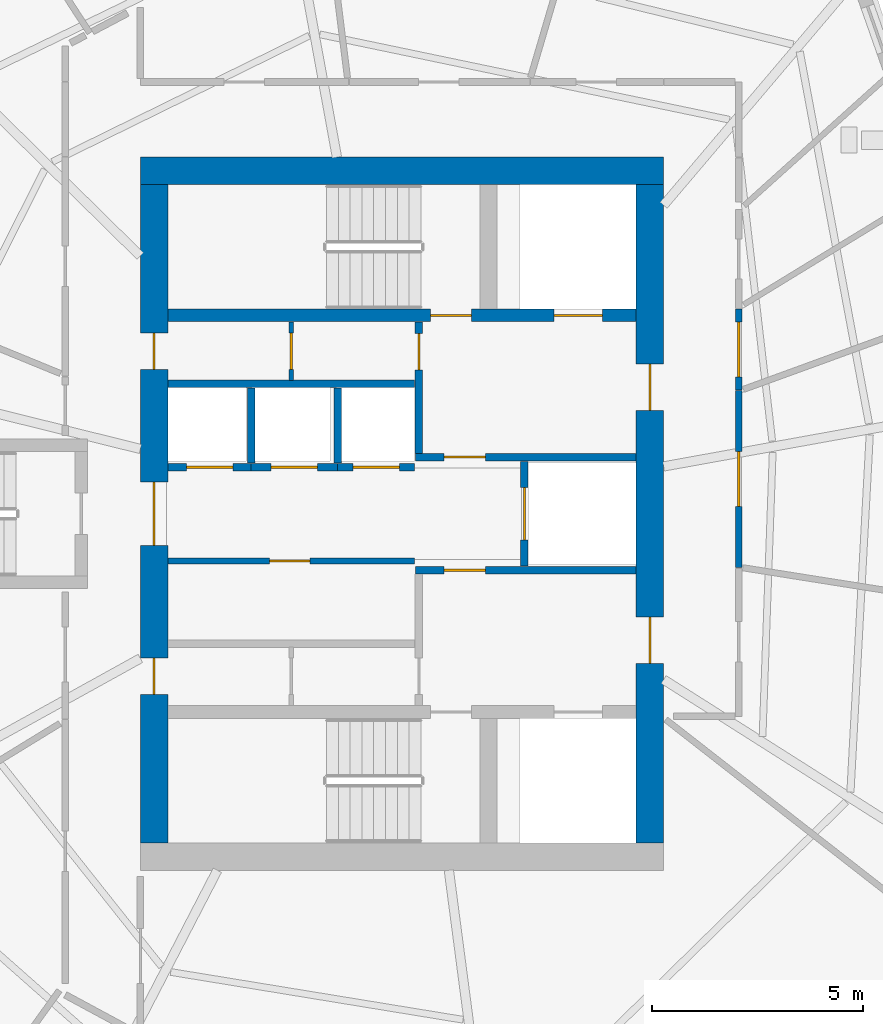
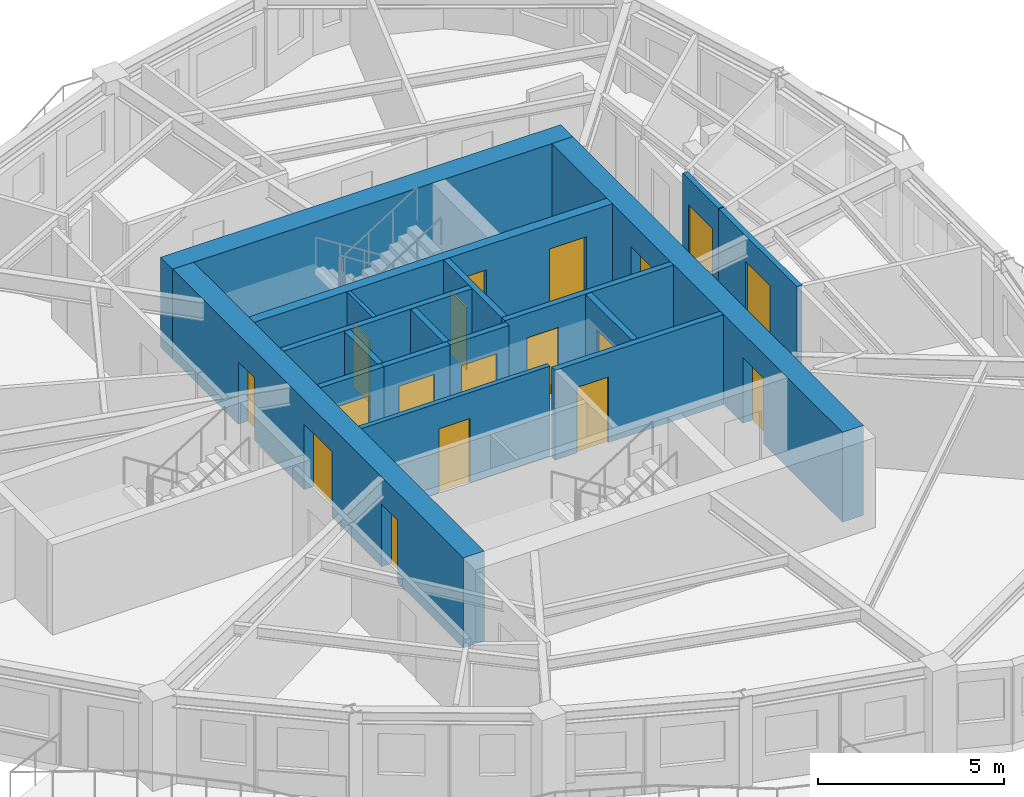
# One storey, part 5 of 12: 18 doors, 18 walls, 18 openings.
"""IFC4 building model written with IfcOpenShell, lengths in metres."""

from ifc_helpers import new_model, si_unit, direction, frame, frame_2d, origin, place, context, subcontext, project, spatial, rectangle, extrude, source, transform, mapped, material, layer, layer_set, type_object, element, fill, save


model = new_model("IFC4")

# Units and contexts
model_context = context("Model", 3, precision=1e-05, world=origin(), true_north=direction((0.0, 1.0)))
body_context = subcontext(model_context, "Body", "Model", "MODEL_VIEW")
ifc_project = project(units=[si_unit("LENGTHUNIT", "METRE"), si_unit("AREAUNIT", "SQUARE_METRE"), si_unit("VOLUMEUNIT", "CUBIC_METRE"), si_unit("PLANEANGLEUNIT", "RADIAN"), si_unit("MASSUNIT", "GRAM", prefix="KILO")], contexts=[model_context])

# Site, building, storey
site_placement = place(None, origin())
site = spatial("IfcSite", under=ifc_project, at=site_placement, CompositionType="ELEMENT")
building_placement = place(site_placement, origin())
building = spatial("IfcBuilding", under=site, at=building_placement, Name="Qafzar Sky-Pleat Residences", CompositionType="ELEMENT")
storey_placement = place(building_placement, frame((0.0, 0.0, 174.60009765625)))
storey = spatial("IfcBuildingStorey", under=building, at=storey_placement, Name="L52", CompositionType="ELEMENT", Elevation=174.60009765625)

# Wall, opening, door
ifc_material_1 = material(Name="Acoustic gypsum plasterboard partition", Category="gypsum")
ifc_layer_1 = layer(ifc_material_1, 0.159912109375)
ifc_layer_set_1 = layer_set([ifc_layer_1], Name="Acoustic gypsum plasterboard partition")
wall_type_1 = type_object("IfcWallType", Name="PART-COR-160", PredefinedType="PARTITIONING", material=ifc_layer_set_1)
wall_1_placement = place(storey_placement, frame((38.330078125, 28.9208984375, 0.0), z_axis=(0.0, 0.0, 1.0), x_axis=(0.0, -1.0, 0.0)))
wall_1 = element("IfcWall", 1, at=wall_1_placement, inside=storey, type_object=wall_type_1, Name="L52 Partition Wall PART-L52-PW-005", PredefinedType="PARTITIONING", context=body_context, shape_type="SweptSolid", body=[
    extrude(rectangle(XDim=4.200927734375, YDim=0.159912109375, at=frame_2d((2.1005859375, 0.0))), origin(), (0.0, 0.0, 1.0), 2.949951171875),
])
opening_1_placement = place(wall_1_placement, frame((1.450927734375, 0.0, 0.0)))
opening_1 = element("IfcOpeningElement", 2, at=opening_1_placement, cuts=wall_1, Name="Opening ID-05", PredefinedType="OPENING", context=body_context, shape_type="SweptSolid", body=[
    extrude(rectangle(XDim=1.300048828125, YDim=2.10009765625, at=frame_2d((0.64990234375, 1.050048828125))), frame((0.0, 0.08984375, 0.0), z_axis=(0.0, -1.0, 0.0), x_axis=(1.0, 0.0, 0.0)), (0.0, 0.0, 1.0), 0.179931640625),
])
ifc_material_2 = material(Name="Timber-faced fire door", Category="wood")
door_type_1 = type_object("IfcDoorType", Name="DR-LNG-1300", OperationType="DOUBLE_DOOR_SINGLE_SWING", PredefinedType="DOOR", material=ifc_material_2)
shared_shape_1 = source(origin(), body_context, "Body", "SweptSolid", [
    extrude(rectangle(XDim=1.300048828125, YDim=2.10009765625, at=frame_2d((0.64990234375, 1.050048828125))), frame((0.0, 0.02490234375, 0.0), z_axis=(0.0, -1.0, 0.0), x_axis=(1.0, 0.0, 0.0)), (0.0, 0.0, 1.0), 0.050048828125),
])
door_1_placement = place(opening_1_placement, origin())
door_1 = element("IfcDoor", 3, at=door_1_placement, inside=storey, type_object=door_type_1, Name="L52 Co-Living Lounge Door", OperationType="DOUBLE_DOOR_SINGLE_SWING", OverallHeight=2.10009765625, OverallWidth=1.300048828125, PredefinedType="DOOR", context=body_context, shape_type="MappedRepresentation", body=[
    mapped(shared_shape_1, transform((0.0, 0.0, 0.0), x_axis=(1.0, 0.0, 0.0), y_axis=(0.0, 1.0, 0.0), z_axis=(0.0, 0.0, 1.0), scale=1.0)),
])
fill(opening_1, door_1)

wall_2_placement = place(storey_placement, frame((38.330078125, 30.847900390625, 0.0), z_axis=(0.0, 0.0, 1.0), x_axis=(0.0, -1.0, 0.0)))
wall_2 = element("IfcWall", 4, at=wall_2_placement, inside=storey, type_object=wall_type_1, Name="L52 Partition Wall PART-L52-PW-011", PredefinedType="PARTITIONING", context=body_context, shape_type="SweptSolid", body=[
    extrude(rectangle(XDim=1.911865234375, YDim=0.159912109375, at=frame_2d((0.9560546875, 0.0))), origin(), (0.0, 0.0, 1.0), 2.949951171875),
])
opening_2_placement = place(wall_2_placement, frame((0.304931640625, 0.0, 0.0)))
opening_2 = element("IfcOpeningElement", 5, at=opening_2_placement, cuts=wall_2, Name="Opening ID-05", PredefinedType="OPENING", context=body_context, shape_type="SweptSolid", body=[
    extrude(rectangle(XDim=1.300048828125, YDim=2.10009765625, at=frame_2d((0.64990234375, 1.050048828125))), frame((0.0, 0.08984375, 0.0), z_axis=(0.0, -1.0, 0.0), x_axis=(1.0, 0.0, 0.0)), (0.0, 0.0, 1.0), 0.179931640625),
])
door_2_placement = place(opening_2_placement, origin())
door_2 = element("IfcDoor", 6, at=door_2_placement, inside=storey, type_object=door_type_1, Name="L52 Scholar Study Room Door", OperationType="DOUBLE_DOOR_SINGLE_SWING", OverallHeight=2.10009765625, OverallWidth=1.300048828125, PredefinedType="DOOR", context=body_context, shape_type="MappedRepresentation", body=[
    mapped(shared_shape_1, transform((0.0, 0.0, 0.0), x_axis=(1.0, 0.0, 0.0), y_axis=(0.0, 1.0, 0.0), z_axis=(0.0, 0.0, 1.0), scale=1.0)),
])
fill(opening_2, door_2)

ifc_material_3 = material(Name="Concrete blockwork partition", Category="masonry")
ifc_layer_2 = layer(ifc_material_3, 0.179931640625)
ifc_layer_set_2 = layer_set([ifc_layer_2], Name="Concrete blockwork partition")
wall_type_2 = type_object("IfcWallType", Name="PART-SHAFT-180", PredefinedType="PARTITIONING", material=ifc_layer_set_2)
wall_3_placement = place(storey_placement, frame((30.669921875, 24.659912109375, 0.0), z_axis=(0.0, 0.0, 1.0), x_axis=(1.0, 0.0, 0.0)))
wall_3 = element("IfcWall", 7, at=wall_3_placement, inside=storey, type_object=wall_type_2, Name="L52 Partition Wall PART-L52-FFL1-N", PredefinedType="PARTITIONING", context=body_context, shape_type="SweptSolid", body=[
    extrude(rectangle(XDim=5.219970703125, YDim=0.179931640625, at=frame_2d((2.60986328125, 0.0))), origin(), (0.0, 0.0, 1.0), 2.949951171875),
])
opening_3_placement = place(wall_3_placement, frame((0.679931640625, 0.0, 0.0)))
opening_3 = element("IfcOpeningElement", 8, at=opening_3_placement, cuts=wall_3, Name="Opening ID-01", PredefinedType="OPENING", context=body_context, shape_type="SweptSolid", body=[
    extrude(rectangle(XDim=0.97998046875, YDim=2.14990234375, at=frame_2d((0.489990234375, 1.074951171875))), frame((0.0, 0.10009765625, 0.0), z_axis=(0.0, -1.0, 0.0), x_axis=(1.0, 0.0, 0.0)), (0.0, 0.0, 1.0), 0.199951171875),
])
door_type_2 = type_object("IfcDoorType", Name="DR-STAIR-980", OperationType="NOTDEFINED", PredefinedType="DOOR", material=ifc_material_2)
shared_shape_2 = source(origin(), body_context, "Body", "SweptSolid", [
    extrude(rectangle(XDim=0.97998046875, YDim=2.14990234375, at=frame_2d((0.489990234375, 1.074951171875))), frame((0.0, 0.02490234375, 0.0), z_axis=(0.0, -1.0, 0.0), x_axis=(1.0, 0.0, 0.0)), (0.0, 0.0, 1.0), 0.050048828125),
])
door_3_placement = place(opening_3_placement, origin())
door_3 = element("IfcDoor", 9, at=door_3_placement, inside=storey, type_object=door_type_2, Name="L52 Lift Lobby to South Firefighting Lobby Door", OperationType="SINGLE_SWING_LEFT", OverallHeight=2.14990234375, OverallWidth=0.97998046875, PredefinedType="DOOR", context=body_context, shape_type="MappedRepresentation", body=[
    mapped(shared_shape_2, transform((0.0, 0.0, 0.0), x_axis=(1.0, 0.0, 0.0), y_axis=(0.0, 1.0, 0.0), z_axis=(0.0, 0.0, 1.0), scale=1.0)),
])
fill(opening_3, door_3)

wall_4_placement = place(storey_placement, frame((30.75, 27.429931640625, 0.0), z_axis=(0.0, 0.0, 1.0), x_axis=(0.0, 1.0, 0.0)))
wall_4 = element("IfcWall", 10, at=wall_4_placement, inside=storey, type_object=wall_type_2, Name="L52 Partition Wall PART-L52-FFL2-W", PredefinedType="PARTITIONING", context=body_context, shape_type="SweptSolid", body=[
    extrude(rectangle(XDim=3.110107421875, YDim=0.179931640625, at=frame_2d((1.55517578125, 0.0))), origin(), (0.0, 0.0, 1.0), 2.949951171875),
])
opening_4_placement = place(wall_4_placement, frame((1.97998046875, 0.0, 0.0)))
opening_4 = element("IfcOpeningElement", 11, at=opening_4_placement, cuts=wall_4, Name="Opening ID-09", PredefinedType="OPENING", context=body_context, shape_type="SweptSolid", body=[
    extrude(rectangle(XDim=0.860107421875, YDim=2.050048828125, at=frame_2d((0.43017578125, 1.02490234375))), frame((0.0, 0.10009765625, 0.0), z_axis=(0.0, -1.0, 0.0), x_axis=(1.0, 0.0, 0.0)), (0.0, 0.0, 1.0), 0.199951171875),
])
door_type_3 = type_object("IfcDoorType", Name="DR-SVC-860", OperationType="NOTDEFINED", PredefinedType="DOOR", material=ifc_material_2)
shared_shape_3 = source(origin(), body_context, "Body", "SweptSolid", [
    extrude(rectangle(XDim=0.860107421875, YDim=2.050048828125, at=frame_2d((0.43017578125, 1.02490234375))), frame((0.0, 0.02490234375, 0.0), z_axis=(0.0, -1.0, 0.0), x_axis=(1.0, 0.0, 0.0)), (0.0, 0.0, 1.0), 0.050048828125),
])
door_4_placement = place(opening_4_placement, origin())
door_4 = element("IfcDoor", 12, at=door_4_placement, inside=storey, type_object=door_type_3, Name="L52 North Core Cupboard Door", OperationType="SINGLE_SWING_RIGHT", OverallHeight=2.050048828125, OverallWidth=0.860107421875, PredefinedType="DOOR", context=body_context, shape_type="MappedRepresentation", body=[
    mapped(shared_shape_3, transform((0.0, 0.0, 0.0), x_axis=(1.0, 0.0, 0.0), y_axis=(0.0, 1.0, 0.0), z_axis=(0.0, 0.0, 1.0), scale=1.0)),
])
fill(opening_4, door_4)

wall_5_placement = place(storey_placement, frame((30.669921875, 27.340087890625, 0.0), z_axis=(0.0, 0.0, 1.0), x_axis=(1.0, 0.0, 0.0)))
wall_5 = element("IfcWall", 13, at=wall_5_placement, inside=storey, type_object=wall_type_2, Name="L52 Partition Wall PART-L52-FFL2-S", PredefinedType="PARTITIONING", context=body_context, shape_type="SweptSolid", body=[
    extrude(rectangle(XDim=5.219970703125, YDim=0.179931640625, at=frame_2d((2.60986328125, 0.0))), origin(), (0.0, 0.0, 1.0), 2.949951171875),
])
opening_5_placement = place(wall_5_placement, frame((0.679931640625, 0.0, 0.0)))
opening_5 = element("IfcOpeningElement", 14, at=opening_5_placement, cuts=wall_5, Name="Opening ID-01", PredefinedType="OPENING", context=body_context, shape_type="SweptSolid", body=[
    extrude(rectangle(XDim=0.97998046875, YDim=2.14990234375, at=frame_2d((0.489990234375, 1.074951171875))), frame((0.0, 0.10009765625, 0.0), z_axis=(0.0, -1.0, 0.0), x_axis=(1.0, 0.0, 0.0)), (0.0, 0.0, 1.0), 0.199951171875),
])
door_5_placement = place(opening_5_placement, origin())
door_5 = element("IfcDoor", 15, at=door_5_placement, inside=storey, type_object=door_type_2, Name="L52 Lift Lobby to North Firefighting Lobby Door", OperationType="SINGLE_SWING_LEFT", OverallHeight=2.14990234375, OverallWidth=0.97998046875, PredefinedType="DOOR", context=body_context, shape_type="MappedRepresentation", body=[
    mapped(shared_shape_2, transform((0.0, 0.0, 0.0), x_axis=(1.0, 0.0, 0.0), y_axis=(0.0, 1.0, 0.0), z_axis=(0.0, 0.0, 1.0), scale=1.0)),
])
fill(opening_5, door_5)

wall_6_placement = place(storey_placement, frame((33.25, 24.760009765625, 0.0), z_axis=(0.0, 0.0, 1.0), x_axis=(0.0, 1.0, 0.0)))
wall_6 = element("IfcWall", 16, at=wall_6_placement, inside=storey, type_object=wall_type_2, Name="L52 Partition Wall PART-L52-SV1-W", PredefinedType="PARTITIONING", context=body_context, shape_type="SweptSolid", body=[
    extrude(rectangle(XDim=2.47998046875, YDim=0.179931640625, at=frame_2d((1.239990234375, 0.0))), origin(), (0.0, 0.0, 1.0), 2.949951171875),
])
opening_6_placement = place(wall_6_placement, frame((0.614990234375, 0.0, 0.0)))
opening_6 = element("IfcOpeningElement", 17, at=opening_6_placement, cuts=wall_6, Name="Opening LD-03", PredefinedType="OPENING", context=body_context, shape_type="SweptSolid", body=[
    extrude(rectangle(XDim=1.25, YDim=2.14990234375, at=frame_2d((0.625, 1.074951171875))), frame((0.0, 0.10009765625, 0.0), z_axis=(0.0, -1.0, 0.0), x_axis=(1.0, 0.0, 0.0)), (0.0, 0.0, 1.0), 0.199951171875),
])
ifc_material_4 = material(Name="Stainless steel sliding landing door", Category="steel")
door_type_4 = type_object("IfcDoorType", Name="DR-LIFT-SV", OperationType="DOUBLE_DOOR_SLIDING", PredefinedType="DOOR", material=ifc_material_4)
shared_shape_4 = source(origin(), body_context, "Body", "SweptSolid", [
    extrude(rectangle(XDim=1.25, YDim=2.14990234375, at=frame_2d((0.625, 1.074951171875))), frame((0.0, 0.02490234375, 0.0), z_axis=(0.0, -1.0, 0.0), x_axis=(1.0, 0.0, 0.0)), (0.0, 0.0, 1.0), 0.050048828125),
])
door_6_placement = place(opening_6_placement, origin())
door_6 = element("IfcDoor", 18, at=door_6_placement, inside=storey, type_object=door_type_4, Name="L52 Service Lift SV1 Landing Door", OperationType="DOUBLE_DOOR_SLIDING", OverallHeight=2.14990234375, OverallWidth=1.25, PredefinedType="DOOR", context=body_context, shape_type="MappedRepresentation", body=[
    mapped(shared_shape_4, transform((0.0, 0.0, 0.0), x_axis=(1.0, 0.0, 0.0), y_axis=(0.0, 1.0, 0.0), z_axis=(0.0, 0.0, 1.0), scale=1.0)),
])
fill(opening_6, door_6)

# Wall
wall_7_placement = place(storey_placement, frame((24.81005859375, 29.080078125, 0.0), z_axis=(0.0, 0.0, 1.0), x_axis=(1.0, 0.0, 0.0)))
element("IfcWall", 19, at=wall_7_placement, inside=storey, type_object=wall_type_2, Name="L52 Partition Wall PART-L52-P46-N", PredefinedType="PARTITIONING", context=body_context, shape_type="SweptSolid", body=[
    extrude(rectangle(XDim=5.83984375, YDim=0.179931640625, at=frame_2d((2.919921875, 0.0))), origin(), (0.0, 0.0, 1.0), 2.949951171875),
])

# Wall, opening, door
wall_8_placement = place(storey_placement, frame((24.81005859375, 27.10009765625, 0.0), z_axis=(0.0, 0.0, 1.0), x_axis=(1.0, 0.0, 0.0)))
wall_8 = element("IfcWall", 20, at=wall_8_placement, inside=storey, type_object=wall_type_2, Name="L52 Partition Wall PART-L52-P4-S", PredefinedType="PARTITIONING", context=body_context, shape_type="SweptSolid", body=[
    extrude(rectangle(XDim=1.96484375, YDim=0.179931640625, at=frame_2d((0.982421875, 0.0))), origin(), (0.0, 0.0, 1.0), 2.949951171875),
])
opening_7_placement = place(wall_8_placement, frame((0.4326171875, 0.0, 0.0)))
opening_7 = element("IfcOpeningElement", 21, at=opening_7_placement, cuts=wall_8, Name="Opening LD-01", PredefinedType="OPENING", context=body_context, shape_type="SweptSolid", body=[
    extrude(rectangle(XDim=1.10009765625, YDim=2.14990234375, at=frame_2d((0.550048828125, 1.074951171875))), frame((0.0, 0.10009765625, 0.0), z_axis=(0.0, -1.0, 0.0), x_axis=(1.0, 0.0, 0.0)), (0.0, 0.0, 1.0), 0.199951171875),
])
door_type_5 = type_object("IfcDoorType", Name="DR-LIFT-P", OperationType="DOUBLE_DOOR_SLIDING", PredefinedType="DOOR", material=ifc_material_4)
shared_shape_5 = source(origin(), body_context, "Body", "SweptSolid", [
    extrude(rectangle(XDim=1.10009765625, YDim=2.14990234375, at=frame_2d((0.550048828125, 1.074951171875))), frame((0.0, 0.02490234375, 0.0), z_axis=(0.0, -1.0, 0.0), x_axis=(1.0, 0.0, 0.0)), (0.0, 0.0, 1.0), 0.050048828125),
])
door_7_placement = place(opening_7_placement, origin())
door_7 = element("IfcDoor", 22, at=door_7_placement, inside=storey, type_object=door_type_5, Name="L52 Passenger Lift P4 Landing Door", OperationType="DOUBLE_DOOR_SLIDING", OverallHeight=2.14990234375, OverallWidth=1.10009765625, PredefinedType="DOOR", context=body_context, shape_type="MappedRepresentation", body=[
    mapped(shared_shape_5, transform((0.0, 0.0, 0.0), x_axis=(1.0, 0.0, 0.0), y_axis=(0.0, 1.0, 0.0), z_axis=(0.0, 0.0, 1.0), scale=1.0)),
])
fill(opening_7, door_7)

wall_9_placement = place(storey_placement, frame((26.77490234375, 27.10009765625, 0.0), z_axis=(0.0, 0.0, 1.0), x_axis=(1.0, 0.0, 0.0)))
wall_9 = element("IfcWall", 23, at=wall_9_placement, inside=storey, type_object=wall_type_2, Name="L52 Partition Wall PART-L52-P5-S", PredefinedType="PARTITIONING", context=body_context, shape_type="SweptSolid", body=[
    extrude(rectangle(XDim=2.050048828125, YDim=0.179931640625, at=frame_2d((1.02490234375, 0.0))), origin(), (0.0, 0.0, 1.0), 2.949951171875),
])
opening_8_placement = place(wall_9_placement, frame((0.47509765625, 0.0, 0.0)))
opening_8 = element("IfcOpeningElement", 24, at=opening_8_placement, cuts=wall_9, Name="Opening LD-01", PredefinedType="OPENING", context=body_context, shape_type="SweptSolid", body=[
    extrude(rectangle(XDim=1.10009765625, YDim=2.14990234375, at=frame_2d((0.550048828125, 1.074951171875))), frame((0.0, 0.10009765625, 0.0), z_axis=(0.0, -1.0, 0.0), x_axis=(1.0, 0.0, 0.0)), (0.0, 0.0, 1.0), 0.199951171875),
])
door_8_placement = place(opening_8_placement, origin())
door_8 = element("IfcDoor", 25, at=door_8_placement, inside=storey, type_object=door_type_5, Name="L52 Passenger Lift P5 Landing Door", OperationType="DOUBLE_DOOR_SLIDING", OverallHeight=2.14990234375, OverallWidth=1.10009765625, PredefinedType="DOOR", context=body_context, shape_type="MappedRepresentation", body=[
    mapped(shared_shape_5, transform((0.0, 0.0, 0.0), x_axis=(1.0, 0.0, 0.0), y_axis=(0.0, 1.0, 0.0), z_axis=(0.0, 0.0, 1.0), scale=1.0)),
])
fill(opening_8, door_8)

# Wall
wall_10_placement = place(storey_placement, frame((26.77490234375, 27.199951171875, 0.0), z_axis=(0.0, 0.0, 1.0), x_axis=(0.0, 1.0, 0.0)))
element("IfcWall", 26, at=wall_10_placement, inside=storey, type_object=wall_type_2, Name="L52 Partition Wall PART-L52-P46-DIV-1", PredefinedType="PARTITIONING", context=body_context, shape_type="SweptSolid", body=[
    extrude(rectangle(XDim=1.780029296875, YDim=0.179931640625, at=frame_2d((0.89013671875, 0.0))), origin(), (0.0, 0.0, 1.0), 2.949951171875),
])

# Wall, opening, door
wall_11_placement = place(storey_placement, frame((28.824951171875, 27.10009765625, 0.0), z_axis=(0.0, 0.0, 1.0), x_axis=(1.0, 0.0, 0.0)))
wall_11 = element("IfcWall", 27, at=wall_11_placement, inside=storey, type_object=wall_type_2, Name="L52 Partition Wall PART-L52-P6-S", PredefinedType="PARTITIONING", context=body_context, shape_type="SweptSolid", body=[
    extrude(rectangle(XDim=1.824951171875, YDim=0.179931640625, at=frame_2d((0.91259765625, 0.0))), origin(), (0.0, 0.0, 1.0), 2.949951171875),
])
opening_9_placement = place(wall_11_placement, frame((0.362548828125, 0.0, 0.0)))
opening_9 = element("IfcOpeningElement", 28, at=opening_9_placement, cuts=wall_11, Name="Opening LD-01", PredefinedType="OPENING", context=body_context, shape_type="SweptSolid", body=[
    extrude(rectangle(XDim=1.10009765625, YDim=2.14990234375, at=frame_2d((0.550048828125, 1.074951171875))), frame((0.0, 0.10009765625, 0.0), z_axis=(0.0, -1.0, 0.0), x_axis=(1.0, 0.0, 0.0)), (0.0, 0.0, 1.0), 0.199951171875),
])
door_9_placement = place(opening_9_placement, origin())
door_9 = element("IfcDoor", 29, at=door_9_placement, inside=storey, type_object=door_type_5, Name="L52 Passenger Lift P6 Landing Door", OperationType="DOUBLE_DOOR_SLIDING", OverallHeight=2.14990234375, OverallWidth=1.10009765625, PredefinedType="DOOR", context=body_context, shape_type="MappedRepresentation", body=[
    mapped(shared_shape_5, transform((0.0, 0.0, 0.0), x_axis=(1.0, 0.0, 0.0), y_axis=(0.0, 1.0, 0.0), z_axis=(0.0, 0.0, 1.0), scale=1.0)),
])
fill(opening_9, door_9)

# Wall
wall_12_placement = place(storey_placement, frame((28.824951171875, 27.199951171875, 0.0), z_axis=(0.0, 0.0, 1.0), x_axis=(0.0, 1.0, 0.0)))
element("IfcWall", 30, at=wall_12_placement, inside=storey, type_object=wall_type_2, Name="L52 Partition Wall PART-L52-P46-DIV-2", PredefinedType="PARTITIONING", context=body_context, shape_type="SweptSolid", body=[
    extrude(rectangle(XDim=1.780029296875, YDim=0.179931640625, at=frame_2d((0.89013671875, 0.0))), origin(), (0.0, 0.0, 1.0), 2.949951171875),
])

# Wall, opening, door
ifc_material_5 = material(Name="Gypsum plasterboard partition", Category="gypsum")
ifc_layer_3 = layer(ifc_material_5, 0.114990234375)
ifc_layer_set_3 = layer_set([ifc_layer_3], Name="Gypsum plasterboard partition")
wall_type_3 = type_object("IfcWallType", Name="PART-SVC-115", PredefinedType="PARTITIONING", material=ifc_layer_set_3)
wall_13_placement = place(storey_placement, frame((27.72509765625, 29.159912109375, 0.0), z_axis=(0.0, 0.0, 1.0), x_axis=(0.0, 1.0, 0.0)))
wall_13 = element("IfcWall", 31, at=wall_13_placement, inside=storey, type_object=wall_type_3, Name="L52 Partition Wall PART-L52-KB-NW", PredefinedType="PARTITIONING", context=body_context, shape_type="SweptSolid", body=[
    extrude(rectangle(XDim=1.380126953125, YDim=0.114990234375, at=frame_2d((0.68994140625, 0.0))), origin(), (0.0, 0.0, 1.0), 2.949951171875),
])
opening_10_placement = place(wall_13_placement, frame((0.260009765625, 0.0, 0.0)))
opening_10 = element("IfcOpeningElement", 32, at=opening_10_placement, cuts=wall_13, Name="Opening ID-09", PredefinedType="OPENING", context=body_context, shape_type="SweptSolid", body=[
    extrude(rectangle(XDim=0.860107421875, YDim=2.050048828125, at=frame_2d((0.43017578125, 1.02490234375))), frame((0.0, 0.0673828125, 0.0), z_axis=(0.0, -1.0, 0.0), x_axis=(1.0, 0.0, 0.0)), (0.0, 0.0, 1.0), 0.135009765625),
])
door_10_placement = place(opening_10_placement, origin())
door_10 = element("IfcDoor", 33, at=door_10_placement, inside=storey, type_object=door_type_3, Name="L52 IT Cupboard Door", OperationType="SINGLE_SWING_RIGHT", OverallHeight=2.050048828125, OverallWidth=0.860107421875, PredefinedType="DOOR", context=body_context, shape_type="MappedRepresentation", body=[
    mapped(shared_shape_3, transform((0.0, 0.0, 0.0), x_axis=(1.0, 0.0, 0.0), y_axis=(0.0, 1.0, 0.0), z_axis=(0.0, 0.0, 1.0), scale=1.0)),
])
fill(opening_10, door_10)

ifc_layer_4 = layer(ifc_material_1, 0.14501953125)
ifc_layer_set_4 = layer_set([ifc_layer_4], Name="Acoustic gypsum plasterboard partition")
wall_type_4 = type_object("IfcWallType", Name="PART-UNIT-145", PredefinedType="PARTITIONING", material=ifc_layer_set_4)
wall_14_placement = place(storey_placement, frame((24.81005859375, 24.8798828125, 0.0), z_axis=(0.0, 0.0, 1.0), x_axis=(1.0, 0.0, 0.0)))
wall_14 = element("IfcWall", 34, at=wall_14_placement, inside=storey, type_object=wall_type_4, Name="L52 Partition Wall PART-L52-RECLAIM-N", PredefinedType="PARTITIONING", context=body_context, shape_type="SweptSolid", body=[
    extrude(rectangle(XDim=5.83984375, YDim=0.14501953125, at=frame_2d((2.919921875, 0.0))), origin(), (0.0, 0.0, 1.0), 2.949951171875),
])
opening_11_placement = place(wall_14_placement, frame((2.39990234375, 0.0, 0.0)))
opening_11 = element("IfcOpeningElement", 35, at=opening_11_placement, cuts=wall_14, Name="Opening ID-06", PredefinedType="OPENING", context=body_context, shape_type="SweptSolid", body=[
    extrude(rectangle(XDim=0.9599609375, YDim=2.10009765625, at=frame_2d((0.47998046875, 1.050048828125))), frame((0.0, 0.08251953125, 0.0), z_axis=(0.0, -1.0, 0.0), x_axis=(1.0, 0.0, 0.0)), (0.0, 0.0, 1.0), 0.1650390625),
])
door_type_6 = type_object("IfcDoorType", Name="DR-STD-960", OperationType="NOTDEFINED", PredefinedType="DOOR", material=ifc_material_2)
shared_shape_6 = source(origin(), body_context, "Body", "SweptSolid", [
    extrude(rectangle(XDim=0.9599609375, YDim=2.10009765625, at=frame_2d((0.47998046875, 1.050048828125))), frame((0.0, 0.02490234375, 0.0), z_axis=(0.0, -1.0, 0.0), x_axis=(1.0, 0.0, 0.0)), (0.0, 0.0, 1.0), 0.050048828125),
])
door_11_placement = place(opening_11_placement, origin())
door_11 = element("IfcDoor", 36, at=door_11_placement, inside=storey, type_object=door_type_6, Name="L52 Reclaimed Resident Laundry Room Door", OperationType="SINGLE_SWING_RIGHT", OverallHeight=2.10009765625, OverallWidth=0.9599609375, PredefinedType="DOOR", context=body_context, shape_type="MappedRepresentation", body=[
    mapped(shared_shape_6, transform((0.0, 0.0, 0.0), x_axis=(1.0, 0.0, 0.0), y_axis=(0.0, 1.0, 0.0), z_axis=(0.0, 0.0, 1.0), scale=1.0)),
])
fill(opening_11, door_11)

# Wall, openings, doors
ifc_material_6 = material(Name="Concrete C60/75", Category="concrete")
ifc_layer_5 = layer(ifc_material_6, 0.300048828125)
ifc_layer_set_5 = layer_set([ifc_layer_5], Name="Concrete C60/75")
wall_type_5 = type_object("IfcWallType", Name="WALL-SHEAR-300", PredefinedType="SHEAR", material=ifc_layer_set_5)
wall_15_placement = place(storey_placement, frame((24.800048828125, 30.699951171875, 0.0), z_axis=(0.0, 0.0, 1.0), x_axis=(1.0, 0.0, 0.0)))
wall_15 = element("IfcWall", 37, at=wall_15_placement, inside=storey, type_object=wall_type_5, Name="L52 Stair ST2 and FF2 Shaft South Wall", PredefinedType="SHEAR", context=body_context, shape_type="SweptSolid", body=[
    extrude(rectangle(XDim=11.099853515625, YDim=0.300048828125, at=frame_2d((5.5498046875, 0.0))), origin(), (0.0, 0.0, 1.0), 2.949951171875),
])
opening_12_placement = place(wall_15_placement, frame((6.219970703125, 0.0, 0.0)))
opening_12 = element("IfcOpeningElement", 38, at=opening_12_placement, cuts=wall_15, Name="Opening ID-01", PredefinedType="OPENING", context=body_context, shape_type="SweptSolid", body=[
    extrude(rectangle(XDim=0.97998046875, YDim=2.14990234375, at=frame_2d((0.489990234375, 1.074951171875))), frame((0.0, 0.16015625, 0.0), z_axis=(0.0, -1.0, 0.0), x_axis=(1.0, 0.0, 0.0)), (0.0, 0.0, 1.0), 0.320068359375),
])
opening_13_placement = place(wall_15_placement, frame((9.14990234375, 0.0, 0.0)))
opening_13 = element("IfcOpeningElement", 39, at=opening_13_placement, cuts=wall_15, Name="Opening LD-02", PredefinedType="OPENING", context=body_context, shape_type="SweptSolid", body=[
    extrude(rectangle(XDim=1.14990234375, YDim=2.14990234375, at=frame_2d((0.574951171875, 1.074951171875))), frame((0.0, 0.16015625, 0.0), z_axis=(0.0, -1.0, 0.0), x_axis=(1.0, 0.0, 0.0)), (0.0, 0.0, 1.0), 0.320068359375),
])
door_12_placement = place(opening_12_placement, origin())
door_12 = element("IfcDoor", 40, at=door_12_placement, inside=storey, type_object=door_type_2, Name="L52 Stair ST2 Fire Door", OperationType="SINGLE_SWING_RIGHT", OverallHeight=2.14990234375, OverallWidth=0.97998046875, PredefinedType="DOOR", context=body_context, shape_type="MappedRepresentation", body=[
    mapped(shared_shape_2, transform((0.0, 0.0, 0.0), x_axis=(1.0, 0.0, 0.0), y_axis=(0.0, 1.0, 0.0), z_axis=(0.0, 0.0, 1.0), scale=1.0)),
])
fill(opening_12, door_12)
door_type_7 = type_object("IfcDoorType", Name="DR-LIFT-FF", OperationType="DOUBLE_DOOR_SLIDING", PredefinedType="DOOR", material=ifc_material_4)
shared_shape_7 = source(origin(), body_context, "Body", "SweptSolid", [
    extrude(rectangle(XDim=1.14990234375, YDim=2.14990234375, at=frame_2d((0.574951171875, 1.074951171875))), frame((0.0, 0.02490234375, 0.0), z_axis=(0.0, -1.0, 0.0), x_axis=(1.0, 0.0, 0.0)), (0.0, 0.0, 1.0), 0.050048828125),
])
door_13_placement = place(opening_13_placement, origin())
door_13 = element("IfcDoor", 41, at=door_13_placement, inside=storey, type_object=door_type_7, Name="L52 Firefighting Lift FF2 Landing Door", OperationType="DOUBLE_DOOR_SLIDING", OverallHeight=2.14990234375, OverallWidth=1.14990234375, PredefinedType="DOOR", context=body_context, shape_type="MappedRepresentation", body=[
    mapped(shared_shape_7, transform((0.0, 0.0, 0.0), x_axis=(1.0, 0.0, 0.0), y_axis=(0.0, 1.0, 0.0), z_axis=(0.0, 0.0, 1.0), scale=1.0)),
])
fill(opening_13, door_13)

# Wall
ifc_layer_6 = layer(ifc_material_6, 0.64990234375)
ifc_layer_set_6 = layer_set([ifc_layer_6], Name="Concrete C60/75")
wall_type_6 = type_object("IfcWallType", Name="WALL-SHEAR-650", PredefinedType="SHEAR", material=ifc_layer_set_6)
wall_16_placement = place(storey_placement, frame((36.550048828125, 34.125, 0.0), z_axis=(0.0, 0.0, 1.0), x_axis=(-1.0, 0.0, 0.0)))
element("IfcWall", 42, at=wall_16_placement, inside=storey, type_object=wall_type_6, Name="L52 CORE wall N", PredefinedType="SHEAR", context=body_context, shape_type="SweptSolid", body=[
    extrude(rectangle(XDim=12.400146484375, YDim=0.64990234375, at=frame_2d((6.2001953125, 0.0))), origin(), (0.0, 0.0, 1.0), 2.949951171875),
])

# Wall, openings, doors
wall_17_placement = place(storey_placement, frame((24.47509765625, 33.800048828125, 0.0), z_axis=(0.0, 0.0, 1.0), x_axis=(0.0, -1.0, 0.0)))
wall_17 = element("IfcWall", 43, at=wall_17_placement, inside=storey, type_object=wall_type_6, Name="L52 CORE wall W", PredefinedType="SHEAR", context=body_context, shape_type="SweptSolid", body=[
    extrude(rectangle(XDim=15.60009765625, YDim=0.64990234375, at=frame_2d((7.800048828125, 0.0))), origin(), (0.0, 0.0, 1.0), 2.949951171875),
])
opening_14_placement = place(wall_17_placement, frame((7.050048828125, 0.0, 0.0)))
opening_14 = element("IfcOpeningElement", 44, at=opening_14_placement, cuts=wall_17, Name="Opening ID-03", PredefinedType="OPENING", context=body_context, shape_type="SweptSolid", body=[
    extrude(rectangle(XDim=1.5, YDim=2.14990234375, at=frame_2d((0.75, 1.074951171875))), frame((0.0, 0.3349609375, 0.0), z_axis=(0.0, -1.0, 0.0), x_axis=(1.0, 0.0, 0.0)), (0.0, 0.0, 1.0), 0.669921875),
])
opening_15_placement = place(wall_17_placement, frame((3.52001953125, 0.0, 0.0)))
opening_15 = element("IfcOpeningElement", 45, at=opening_15_placement, cuts=wall_17, Name="Opening ID-09", PredefinedType="OPENING", context=body_context, shape_type="SweptSolid", body=[
    extrude(rectangle(XDim=0.860107421875, YDim=2.050048828125, at=frame_2d((0.43017578125, 1.02490234375))), frame((0.0, 0.3349609375, 0.0), z_axis=(0.0, -1.0, 0.0), x_axis=(1.0, 0.0, 0.0)), (0.0, 0.0, 1.0), 0.669921875),
])
opening_16_placement = place(wall_17_placement, frame((11.219970703125, 0.0, 0.0)))
opening_16 = element("IfcOpeningElement", 46, at=opening_16_placement, cuts=wall_17, Name="Opening ID-09", PredefinedType="OPENING", context=body_context, shape_type="SweptSolid", body=[
    extrude(rectangle(XDim=0.860107421875, YDim=2.050048828125, at=frame_2d((0.43017578125, 1.02490234375))), frame((0.0, 0.3349609375, 0.0), z_axis=(0.0, -1.0, 0.0), x_axis=(1.0, 0.0, 0.0)), (0.0, 0.0, 1.0), 0.669921875),
])
door_type_8 = type_object("IfcDoorType", Name="DR-COR-1500", OperationType="DOUBLE_DOOR_SINGLE_SWING", PredefinedType="DOOR", material=ifc_material_2)
shared_shape_8 = source(origin(), body_context, "Body", "SweptSolid", [
    extrude(rectangle(XDim=1.5, YDim=2.14990234375, at=frame_2d((0.75, 1.074951171875))), frame((0.0, 0.02490234375, 0.0), z_axis=(0.0, -1.0, 0.0), x_axis=(1.0, 0.0, 0.0)), (0.0, 0.0, 1.0), 0.050048828125),
])
door_14_placement = place(opening_14_placement, origin())
door_14 = element("IfcDoor", 47, at=door_14_placement, inside=storey, type_object=door_type_8, Name="L52 Lift Lobby West Double Door", OperationType="DOUBLE_DOOR_SINGLE_SWING", OverallHeight=2.14990234375, OverallWidth=1.5, PredefinedType="DOOR", context=body_context, shape_type="MappedRepresentation", body=[
    mapped(shared_shape_8, transform((0.0, 0.0, 0.0), x_axis=(1.0, 0.0, 0.0), y_axis=(0.0, 1.0, 0.0), z_axis=(0.0, 0.0, 1.0), scale=1.0)),
])
fill(opening_14, door_14)
door_15_placement = place(opening_15_placement, origin())
door_15 = element("IfcDoor", 48, at=door_15_placement, inside=storey, type_object=door_type_3, Name="L52 Core North-West Service Door", OperationType="SINGLE_SWING_RIGHT", OverallHeight=2.050048828125, OverallWidth=0.860107421875, PredefinedType="DOOR", context=body_context, shape_type="MappedRepresentation", body=[
    mapped(shared_shape_3, transform((0.0, 0.0, 0.0), x_axis=(1.0, 0.0, 0.0), y_axis=(0.0, 1.0, 0.0), z_axis=(0.0, 0.0, 1.0), scale=1.0)),
])
fill(opening_15, door_15)
door_16_placement = place(opening_16_placement, origin())
door_16 = element("IfcDoor", 49, at=door_16_placement, inside=storey, type_object=door_type_3, Name="L52 Core South-West Service Door", OperationType="SINGLE_SWING_LEFT", OverallHeight=2.050048828125, OverallWidth=0.860107421875, PredefinedType="DOOR", context=body_context, shape_type="MappedRepresentation", body=[
    mapped(shared_shape_3, transform((0.0, 0.0, 0.0), x_axis=(1.0, 0.0, 0.0), y_axis=(0.0, 1.0, 0.0), z_axis=(0.0, 0.0, 1.0), scale=1.0)),
])
fill(opening_16, door_16)

wall_18_placement = place(storey_placement, frame((36.22509765625, 18.199951171875, 0.0), z_axis=(0.0, 0.0, 1.0), x_axis=(0.0, 1.0, 0.0)))
wall_18 = element("IfcWall", 50, at=wall_18_placement, inside=storey, type_object=wall_type_6, Name="L52 CORE wall E", PredefinedType="SHEAR", context=body_context, shape_type="SweptSolid", body=[
    extrude(rectangle(XDim=15.60009765625, YDim=0.64990234375, at=frame_2d((7.800048828125, 0.0))), origin(), (0.0, 0.0, 1.0), 2.949951171875),
])
opening_17_placement = place(wall_18_placement, frame((4.25, 0.0, 0.0)))
opening_17 = element("IfcOpeningElement", 51, at=opening_17_placement, cuts=wall_18, Name="Opening ID-02", PredefinedType="OPENING", context=body_context, shape_type="SweptSolid", body=[
    extrude(rectangle(XDim=1.10009765625, YDim=2.14990234375, at=frame_2d((0.550048828125, 1.074951171875))), frame((0.0, 0.3349609375, 0.0), z_axis=(0.0, -1.0, 0.0), x_axis=(1.0, 0.0, 0.0)), (0.0, 0.0, 1.0), 0.669921875),
])
opening_18_placement = place(wall_18_placement, frame((10.25, 0.0, 0.0)))
opening_18 = element("IfcOpeningElement", 52, at=opening_18_placement, cuts=wall_18, Name="Opening ID-02", PredefinedType="OPENING", context=body_context, shape_type="SweptSolid", body=[
    extrude(rectangle(XDim=1.10009765625, YDim=2.14990234375, at=frame_2d((0.550048828125, 1.074951171875))), frame((0.0, 0.3349609375, 0.0), z_axis=(0.0, -1.0, 0.0), x_axis=(1.0, 0.0, 0.0)), (0.0, 0.0, 1.0), 0.669921875),
])
door_type_9 = type_object("IfcDoorType", Name="DR-FFL-1100", OperationType="NOTDEFINED", PredefinedType="DOOR", material=ifc_material_2)
door_17_placement = place(opening_17_placement, origin())
door_17 = element("IfcDoor", 53, at=door_17_placement, inside=storey, type_object=door_type_9, Name="L52 Firefighting Lobby South Corridor Door", OperationType="SINGLE_SWING_RIGHT", OverallHeight=2.14990234375, OverallWidth=1.10009765625, PredefinedType="DOOR", context=body_context, shape_type="MappedRepresentation", body=[
    mapped(shared_shape_5, transform((0.0, 0.0, 0.0), x_axis=(1.0, 0.0, 0.0), y_axis=(0.0, 1.0, 0.0), z_axis=(0.0, 0.0, 1.0), scale=1.0)),
])
fill(opening_17, door_17)
door_18_placement = place(opening_18_placement, origin())
door_18 = element("IfcDoor", 54, at=door_18_placement, inside=storey, type_object=door_type_9, Name="L52 Firefighting Lobby North Corridor Door", OperationType="SINGLE_SWING_LEFT", OverallHeight=2.14990234375, OverallWidth=1.10009765625, PredefinedType="DOOR", context=body_context, shape_type="MappedRepresentation", body=[
    mapped(shared_shape_5, transform((0.0, 0.0, 0.0), x_axis=(1.0, 0.0, 0.0), y_axis=(0.0, 1.0, 0.0), z_axis=(0.0, 0.0, 1.0), scale=1.0)),
])
fill(opening_18, door_18)

save(model, "model.ifc")
